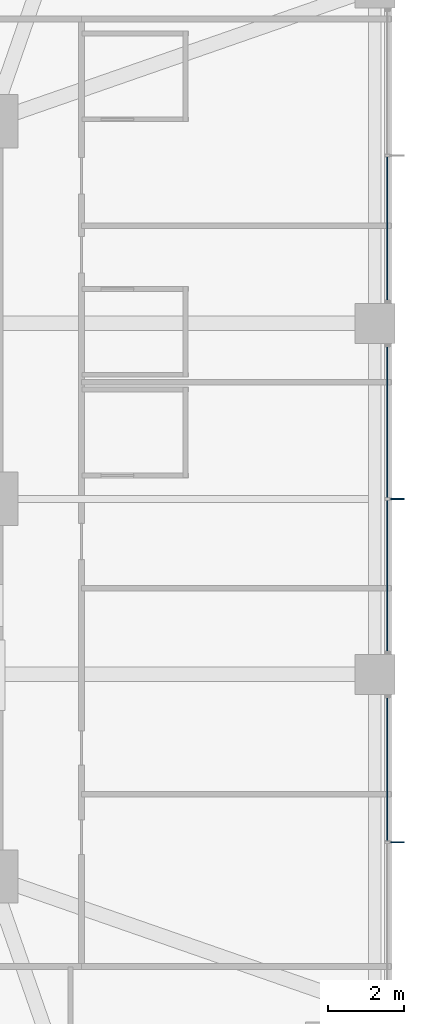
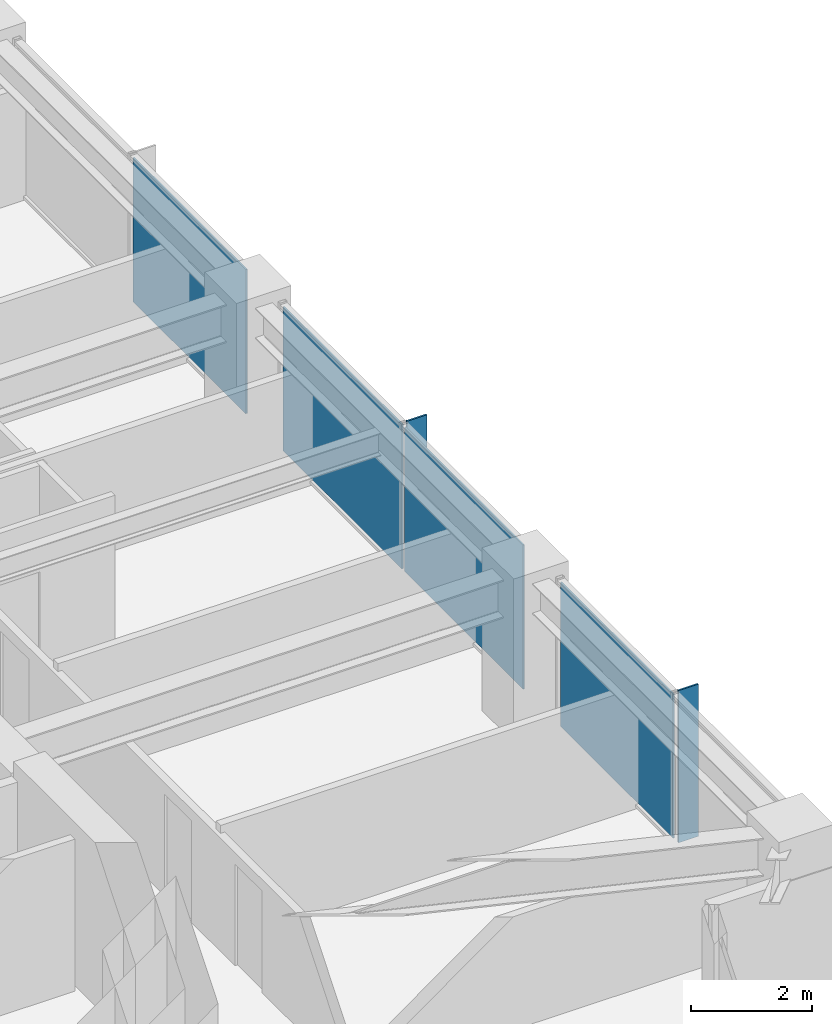
# One storey, part 29 of 38: 6 plates, 3 elements without a shape of their own.
"""IFC4 building model written with IfcOpenShell, lengths in metres."""

from ifc_helpers import new_model, si_unit, direction, frame, origin, origin_2d, place, context, subcontext, project, spatial, rectangle, extrude, material, layer, layer_set, type_object, element, aggregate, save


model = new_model("IFC4")

# Units and contexts
model_context = context("Model", 3, precision=1e-05, world=origin(), true_north=direction((0.0, 1.0)))
body_context = subcontext(model_context, "Body", "Model", "MODEL_VIEW")
ifc_project = project(units=[si_unit("LENGTHUNIT", "METRE"), si_unit("AREAUNIT", "SQUARE_METRE"), si_unit("VOLUMEUNIT", "CUBIC_METRE"), si_unit("PLANEANGLEUNIT", "RADIAN"), si_unit("MASSUNIT", "GRAM", prefix="KILO")], contexts=[model_context])

# Site, building, storey
site_placement = place(None, origin())
site = spatial("IfcSite", under=ifc_project, at=site_placement, CompositionType="ELEMENT")
building_placement = place(site_placement, origin())
building = spatial("IfcBuilding", under=site, at=building_placement, Name="Kolvaren Belvedere", CompositionType="ELEMENT")
storey_placement = place(building_placement, frame((0.0, 0.0, 98.60009765625)))
storey = spatial("IfcBuildingStorey", under=building, at=storey_placement, Name="L28", CompositionType="ELEMENT", Elevation=98.60009765625)

# Curtain wall, plate
ifc_material_1 = material(Name="Anodised pale-metal aluminium AA 6063-T6", Category="aluminium")
curtain_wall_type = type_object("IfcCurtainWallType", Name="CW-Z2-MID", PredefinedType="NOTDEFINED", material=ifc_material_1)
curtain_wall_1_placement = place(storey_placement, origin())
curtain_wall_1 = element("IfcCurtainWall", 1, at=curtain_wall_1_placement, inside=storey, type_object=curtain_wall_type, Name="L28 Unitised Curtain Wall FCW-L28-E-B1", PredefinedType="NOTDEFINED")
ifc_material_2 = material(Name="Low-iron triple insulated glass", Category="glass")
ifc_layer_1 = layer(ifc_material_2, 0.028076171875)
ifc_layer_set_1 = layer_set([ifc_layer_1], Name="Low-iron triple insulated glass")
plate_type_1 = type_object("IfcPlateType", Name="CW-PNL-VIS28", PredefinedType="CURTAIN_PANEL", material=ifc_layer_set_1)
plate_1_placement = place(storey_placement, frame((20.280029296875, 7.0888671875, 0.079833984375), z_axis=(0.0, 0.0, 1.0), x_axis=(0.0, -1.0, 0.0)))
plate_1 = element("IfcPlate", 2, at=plate_1_placement, type_object=plate_type_1, Name="FCW-L28-E-B1 Vision Glazing Panel 2", PredefinedType="CURTAIN_PANEL", context=body_context, shape_type="SweptSolid", body=[
    extrude(rectangle(XDim=3.742431640625, YDim=0.028076171875, at=origin_2d()), origin(), (0.0, 0.0, 1.0), 2.919921875),
])
aggregate(curtain_wall_1, [plate_1])

# Curtain wall, plates
curtain_wall_2_placement = place(storey_placement, origin())
curtain_wall_2 = element("IfcCurtainWall", 3, at=curtain_wall_2_placement, inside=storey, type_object=curtain_wall_type, Name="L28 Unitised Curtain Wall FCW-L28-E-B2", PredefinedType="NOTDEFINED")
plate_2_placement = place(storey_placement, frame((20.280029296875, 2.01123046875, 0.079833984375), z_axis=(0.0, 0.0, 1.0), x_axis=(0.0, -1.0, 0.0)))
plate_2 = element("IfcPlate", 4, at=plate_2_placement, type_object=plate_type_1, Name="FCW-L28-E-B2 Vision Glazing Panel 1", PredefinedType="CURTAIN_PANEL", context=body_context, shape_type="SweptSolid", body=[
    extrude(rectangle(XDim=3.9423828125, YDim=0.028076171875, at=origin_2d()), origin(), (0.0, 0.0, 1.0), 2.919921875),
])
plate_3_placement = place(storey_placement, frame((20.280029296875, -2.01123046875, 0.079833984375), z_axis=(0.0, 0.0, 1.0), x_axis=(0.0, -1.0, 0.0)))
plate_3 = element("IfcPlate", 5, at=plate_3_placement, type_object=plate_type_1, Name="FCW-L28-E-B2 Vision Glazing Panel 2", PredefinedType="CURTAIN_PANEL", context=body_context, shape_type="SweptSolid", body=[
    extrude(rectangle(XDim=3.9423828125, YDim=0.028076171875, at=origin_2d()), origin(), (0.0, 0.0, 1.0), 2.919921875),
])
aggregate(curtain_wall_2, [plate_2, plate_3])

# Curtain wall, plate
curtain_wall_3_placement = place(storey_placement, origin())
curtain_wall_3 = element("IfcCurtainWall", 6, at=curtain_wall_3_placement, inside=storey, type_object=curtain_wall_type, Name="L28 Unitised Curtain Wall FCW-L28-E-B3", PredefinedType="NOTDEFINED")
plate_4_placement = place(storey_placement, frame((20.280029296875, -7.0888671875, 0.079833984375), z_axis=(0.0, 0.0, 1.0), x_axis=(0.0, -1.0, 0.0)))
plate_4 = element("IfcPlate", 7, at=plate_4_placement, type_object=plate_type_1, Name="FCW-L28-E-B3 Vision Glazing Panel 1", PredefinedType="CURTAIN_PANEL", context=body_context, shape_type="SweptSolid", body=[
    extrude(rectangle(XDim=3.742431640625, YDim=0.028076171875, at=origin_2d()), origin(), (0.0, 0.0, 1.0), 2.919921875),
])
aggregate(curtain_wall_3, [plate_4])

# Plates
ifc_material_3 = material(Name="Anodised pale-metal aluminium AA 6063-T6", Category="aluminium")
ifc_layer_2 = layer(ifc_material_3, 0.033935546875)
ifc_layer_set_2 = layer_set([ifc_layer_2], Name="Anodised pale-metal aluminium AA 6063-T6")
plate_type_2 = type_object("IfcPlateType", Name="FIN-VERT-380", PredefinedType="USERDEFINED", material=ifc_layer_set_2)
for number, where, z_axis, x_axis, name in (
    (8, (20.52490234375, 0.0, -0.000244140625), (0.0, 0.0, 1.0), (1.0, 0.0, 0.0), "L28 Pale-Metal Vertical Shading Fin FCW-L28-E-B2-1"),
    (9, (20.52490234375, -9.0, -0.000244140625), (0.0, 0.0, 1.0), (1.0, 0.0, 0.0), "L28 Pale-Metal Vertical Shading Fin FCW-L28-E-B3-1"),
):
    element("IfcPlate", number, at=place(storey_placement, frame(where, z_axis=z_axis, x_axis=x_axis)), inside=storey, type_object=plate_type_2, Name=name, ObjectType="VERTICAL FIN", PredefinedType="USERDEFINED", context=body_context, shape_type="SweptSolid", body=[
        extrude(rectangle(XDim=0.3798828125, YDim=0.033935546875, at=origin_2d()), origin(), (0.0, 0.0, 1.0), 3.080078125),
    ])

save(model, "model.ifc")
